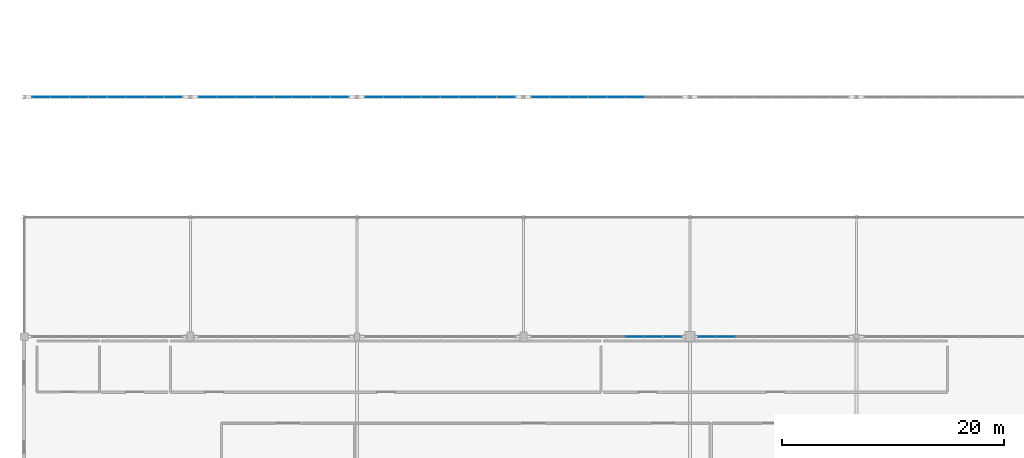
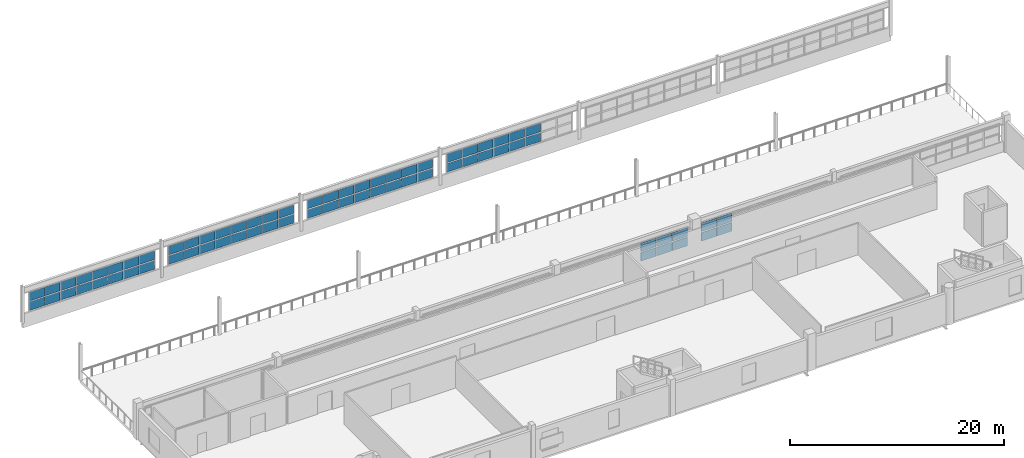
# One storey, part 52 of 92: 70 plates, 6 elements without a shape of their own.
"""IFC4 building model written with IfcOpenShell, lengths in metres."""

from ifc_helpers import new_model, si_unit, direction, frame, origin, origin_2d, place, context, subcontext, project, spatial, rectangle, extrude, material, layer, layer_set, type_object, element, aggregate, save


model = new_model("IFC4")

# Units and contexts
model_context = context("Model", 3, precision=1e-05, world=origin(), true_north=direction((0.0, 1.0)))
body_context = subcontext(model_context, "Body", "Model", "MODEL_VIEW")
ifc_project = project(units=[si_unit("LENGTHUNIT", "METRE"), si_unit("AREAUNIT", "SQUARE_METRE"), si_unit("VOLUMEUNIT", "CUBIC_METRE"), si_unit("PLANEANGLEUNIT", "RADIAN"), si_unit("MASSUNIT", "GRAM", prefix="KILO")], contexts=[model_context])

# Site, building, storey
site_placement = place(None, origin())
site = spatial("IfcSite", under=ifc_project, at=site_placement, CompositionType="ELEMENT")
building_placement = place(site_placement, origin())
building = spatial("IfcBuilding", under=site, at=building_placement, Name="Solanera Park Tramway Depot", CompositionType="ELEMENT")
storey_placement = place(building_placement, frame((0.0, 0.0, 4.800048828125)))
storey = spatial("IfcBuildingStorey", under=building, at=storey_placement, Name="L01", CompositionType="ELEMENT", Elevation=4.800048828125)

# Curtain wall, plates
ifc_material_1 = material(Name="Bronze-anodised thermally broken aluminium curtain wall", Category="aluminium")
curtain_wall_type = type_object("IfcCurtainWallType", Name="Workshop Daylight Ribbon Curtain Wall", PredefinedType="NOTDEFINED", material=ifc_material_1)
curtain_wall_1_placement = place(storey_placement, origin())
curtain_wall_1 = element("IfcCurtainWall", 1, at=curtain_wall_1_placement, inside=storey, type_object=curtain_wall_type, Name="L01 Workshop Daylight Ribbon Curtain Wall #140", PredefinedType="NOTDEFINED")
ifc_material_2 = material(Name="Low-E laminated solar-control double glazing", Category="glass")
ifc_layer = layer(ifc_material_2, 0.028076171875)
ifc_layer_set = layer_set([ifc_layer], Name="Low-E laminated solar-control double glazing")
plate_type = type_object("IfcPlateType", Name="Curtain Wall Double Glazing Panel 28", PredefinedType="CURTAIN_PANEL", material=ifc_layer_set)
plate_1_placement = place(storey_placement, frame((13.43359375, 54.0, 1.11181640625), z_axis=(0.0, 0.0, 1.0), x_axis=(-1.0, 0.0, 0.0)))
plate_1 = element("IfcPlate", 2, at=plate_1_placement, type_object=plate_type, Name="CW-L01-140 Glazing Panel R1.C1", PredefinedType="CURTAIN_PANEL", context=body_context, shape_type="SweptSolid", body=[
    extrude(rectangle(XDim=1.615478515625, YDim=0.028076171875, at=origin_2d()), origin(), (0.0, 0.0, 1.0), 0.986083984375),
])
plate_2_placement = place(storey_placement, frame((11.75, 54.0, 1.11181640625), z_axis=(0.0, 0.0, 1.0), x_axis=(-1.0, 0.0, 0.0)))
plate_2 = element("IfcPlate", 3, at=plate_2_placement, type_object=plate_type, Name="CW-L01-140 Glazing Panel R1.C2", PredefinedType="CURTAIN_PANEL", context=body_context, shape_type="SweptSolid", body=[
    extrude(rectangle(XDim=1.64794921875, YDim=0.028076171875, at=origin_2d()), origin(), (0.0, 0.0, 1.0), 0.986083984375),
])
plate_3_placement = place(storey_placement, frame((10.050048828125, 54.0, 1.11181640625), z_axis=(0.0, 0.0, 1.0), x_axis=(-1.0, 0.0, 0.0)))
plate_3 = element("IfcPlate", 4, at=plate_3_placement, type_object=plate_type, Name="CW-L01-140 Glazing Panel R1.C3", PredefinedType="CURTAIN_PANEL", context=body_context, shape_type="SweptSolid", body=[
    extrude(rectangle(XDim=1.64794921875, YDim=0.028076171875, at=origin_2d()), origin(), (0.0, 0.0, 1.0), 0.986083984375),
])
plate_4_placement = place(storey_placement, frame((8.35009765625, 54.0, 1.11181640625), z_axis=(0.0, 0.0, 1.0), x_axis=(-1.0, 0.0, 0.0)))
plate_4 = element("IfcPlate", 5, at=plate_4_placement, type_object=plate_type, Name="CW-L01-140 Glazing Panel R1.C4", PredefinedType="CURTAIN_PANEL", context=body_context, shape_type="SweptSolid", body=[
    extrude(rectangle(XDim=1.64794921875, YDim=0.028076171875, at=origin_2d()), origin(), (0.0, 0.0, 1.0), 0.986083984375),
])
plate_5_placement = place(storey_placement, frame((6.64990234375, 54.0, 1.11181640625), z_axis=(0.0, 0.0, 1.0), x_axis=(-1.0, 0.0, 0.0)))
plate_5 = element("IfcPlate", 6, at=plate_5_placement, type_object=plate_type, Name="CW-L01-140 Glazing Panel R1.C5", PredefinedType="CURTAIN_PANEL", context=body_context, shape_type="SweptSolid", body=[
    extrude(rectangle(XDim=1.64794921875, YDim=0.028076171875, at=origin_2d()), origin(), (0.0, 0.0, 1.0), 0.986083984375),
])
plate_6_placement = place(storey_placement, frame((4.949951171875, 54.0, 1.11181640625), z_axis=(0.0, 0.0, 1.0), x_axis=(-1.0, 0.0, 0.0)))
plate_6 = element("IfcPlate", 7, at=plate_6_placement, type_object=plate_type, Name="CW-L01-140 Glazing Panel R1.C6", PredefinedType="CURTAIN_PANEL", context=body_context, shape_type="SweptSolid", body=[
    extrude(rectangle(XDim=1.64794921875, YDim=0.028076171875, at=origin_2d()), origin(), (0.0, 0.0, 1.0), 0.986083984375),
])
plate_7_placement = place(storey_placement, frame((3.25, 54.0, 1.11181640625), z_axis=(0.0, 0.0, 1.0), x_axis=(-1.0, 0.0, 0.0)))
plate_7 = element("IfcPlate", 8, at=plate_7_placement, type_object=plate_type, Name="CW-L01-140 Glazing Panel R1.C7", PredefinedType="CURTAIN_PANEL", context=body_context, shape_type="SweptSolid", body=[
    extrude(rectangle(XDim=1.64794921875, YDim=0.028076171875, at=origin_2d()), origin(), (0.0, 0.0, 1.0), 0.986083984375),
])
plate_8_placement = place(storey_placement, frame((1.56640625, 54.0, 1.11181640625), z_axis=(0.0, 0.0, 1.0), x_axis=(-1.0, 0.0, 0.0)))
plate_8 = element("IfcPlate", 9, at=plate_8_placement, type_object=plate_type, Name="CW-L01-140 Glazing Panel R1.C8", PredefinedType="CURTAIN_PANEL", context=body_context, shape_type="SweptSolid", body=[
    extrude(rectangle(XDim=1.615478515625, YDim=0.028076171875, at=origin_2d()), origin(), (0.0, 0.0, 1.0), 0.986083984375),
])
plate_9_placement = place(storey_placement, frame((13.43359375, 54.0, 2.2021484375), z_axis=(0.0, 0.0, 1.0), x_axis=(-1.0, 0.0, 0.0)))
plate_9 = element("IfcPlate", 10, at=plate_9_placement, type_object=plate_type, Name="CW-L01-140 Glazing Panel R2.C1", PredefinedType="CURTAIN_PANEL", context=body_context, shape_type="SweptSolid", body=[
    extrude(rectangle(XDim=1.615478515625, YDim=0.028076171875, at=origin_2d()), origin(), (0.0, 0.0, 1.0), 0.986083984375),
])
plate_10_placement = place(storey_placement, frame((11.75, 54.0, 2.2021484375), z_axis=(0.0, 0.0, 1.0), x_axis=(-1.0, 0.0, 0.0)))
plate_10 = element("IfcPlate", 11, at=plate_10_placement, type_object=plate_type, Name="CW-L01-140 Glazing Panel R2.C2", PredefinedType="CURTAIN_PANEL", context=body_context, shape_type="SweptSolid", body=[
    extrude(rectangle(XDim=1.64794921875, YDim=0.028076171875, at=origin_2d()), origin(), (0.0, 0.0, 1.0), 0.986083984375),
])
plate_11_placement = place(storey_placement, frame((10.050048828125, 54.0, 2.2021484375), z_axis=(0.0, 0.0, 1.0), x_axis=(-1.0, 0.0, 0.0)))
plate_11 = element("IfcPlate", 12, at=plate_11_placement, type_object=plate_type, Name="CW-L01-140 Glazing Panel R2.C3", PredefinedType="CURTAIN_PANEL", context=body_context, shape_type="SweptSolid", body=[
    extrude(rectangle(XDim=1.64794921875, YDim=0.028076171875, at=origin_2d()), origin(), (0.0, 0.0, 1.0), 0.986083984375),
])
plate_12_placement = place(storey_placement, frame((8.35009765625, 54.0, 2.2021484375), z_axis=(0.0, 0.0, 1.0), x_axis=(-1.0, 0.0, 0.0)))
plate_12 = element("IfcPlate", 13, at=plate_12_placement, type_object=plate_type, Name="CW-L01-140 Glazing Panel R2.C4", PredefinedType="CURTAIN_PANEL", context=body_context, shape_type="SweptSolid", body=[
    extrude(rectangle(XDim=1.64794921875, YDim=0.028076171875, at=origin_2d()), origin(), (0.0, 0.0, 1.0), 0.986083984375),
])
plate_13_placement = place(storey_placement, frame((6.64990234375, 54.0, 2.2021484375), z_axis=(0.0, 0.0, 1.0), x_axis=(-1.0, 0.0, 0.0)))
plate_13 = element("IfcPlate", 14, at=plate_13_placement, type_object=plate_type, Name="CW-L01-140 Glazing Panel R2.C5", PredefinedType="CURTAIN_PANEL", context=body_context, shape_type="SweptSolid", body=[
    extrude(rectangle(XDim=1.64794921875, YDim=0.028076171875, at=origin_2d()), origin(), (0.0, 0.0, 1.0), 0.986083984375),
])
plate_14_placement = place(storey_placement, frame((4.949951171875, 54.0, 2.2021484375), z_axis=(0.0, 0.0, 1.0), x_axis=(-1.0, 0.0, 0.0)))
plate_14 = element("IfcPlate", 15, at=plate_14_placement, type_object=plate_type, Name="CW-L01-140 Glazing Panel R2.C6", PredefinedType="CURTAIN_PANEL", context=body_context, shape_type="SweptSolid", body=[
    extrude(rectangle(XDim=1.64794921875, YDim=0.028076171875, at=origin_2d()), origin(), (0.0, 0.0, 1.0), 0.986083984375),
])
plate_15_placement = place(storey_placement, frame((3.25, 54.0, 2.2021484375), z_axis=(0.0, 0.0, 1.0), x_axis=(-1.0, 0.0, 0.0)))
plate_15 = element("IfcPlate", 16, at=plate_15_placement, type_object=plate_type, Name="CW-L01-140 Glazing Panel R2.C7", PredefinedType="CURTAIN_PANEL", context=body_context, shape_type="SweptSolid", body=[
    extrude(rectangle(XDim=1.64794921875, YDim=0.028076171875, at=origin_2d()), origin(), (0.0, 0.0, 1.0), 0.986083984375),
])
plate_16_placement = place(storey_placement, frame((1.56640625, 54.0, 2.2021484375), z_axis=(0.0, 0.0, 1.0), x_axis=(-1.0, 0.0, 0.0)))
plate_16 = element("IfcPlate", 17, at=plate_16_placement, type_object=plate_type, Name="CW-L01-140 Glazing Panel R2.C8", PredefinedType="CURTAIN_PANEL", context=body_context, shape_type="SweptSolid", body=[
    extrude(rectangle(XDim=1.615478515625, YDim=0.028076171875, at=origin_2d()), origin(), (0.0, 0.0, 1.0), 0.986083984375),
])
aggregate(curtain_wall_1, [plate_1, plate_2, plate_3, plate_4, plate_5, plate_6, plate_7, plate_8, plate_9, plate_10, plate_11, plate_12, plate_13, plate_14, plate_15, plate_16])

curtain_wall_2_placement = place(storey_placement, origin())
curtain_wall_2 = element("IfcCurtainWall", 18, at=curtain_wall_2_placement, inside=storey, type_object=curtain_wall_type, Name="L01 Workshop Daylight Ribbon Curtain Wall #142", PredefinedType="NOTDEFINED")
plate_17_placement = place(storey_placement, frame((28.43359375, 54.0, 1.11181640625), z_axis=(0.0, 0.0, 1.0), x_axis=(-1.0, 0.0, 0.0)))
plate_17 = element("IfcPlate", 19, at=plate_17_placement, type_object=plate_type, Name="CW-L01-142 Glazing Panel R1.C1", PredefinedType="CURTAIN_PANEL", context=body_context, shape_type="SweptSolid", body=[
    extrude(rectangle(XDim=1.615478515625, YDim=0.028076171875, at=origin_2d()), origin(), (0.0, 0.0, 1.0), 0.986083984375),
])
plate_18_placement = place(storey_placement, frame((26.75, 54.0, 1.11181640625), z_axis=(0.0, 0.0, 1.0), x_axis=(-1.0, 0.0, 0.0)))
plate_18 = element("IfcPlate", 20, at=plate_18_placement, type_object=plate_type, Name="CW-L01-142 Glazing Panel R1.C2", PredefinedType="CURTAIN_PANEL", context=body_context, shape_type="SweptSolid", body=[
    extrude(rectangle(XDim=1.64794921875, YDim=0.028076171875, at=origin_2d()), origin(), (0.0, 0.0, 1.0), 0.986083984375),
])
plate_19_placement = place(storey_placement, frame((25.050048828125, 54.0, 1.11181640625), z_axis=(0.0, 0.0, 1.0), x_axis=(-1.0, 0.0, 0.0)))
plate_19 = element("IfcPlate", 21, at=plate_19_placement, type_object=plate_type, Name="CW-L01-142 Glazing Panel R1.C3", PredefinedType="CURTAIN_PANEL", context=body_context, shape_type="SweptSolid", body=[
    extrude(rectangle(XDim=1.64794921875, YDim=0.028076171875, at=origin_2d()), origin(), (0.0, 0.0, 1.0), 0.986083984375),
])
plate_20_placement = place(storey_placement, frame((23.35009765625, 54.0, 1.11181640625), z_axis=(0.0, 0.0, 1.0), x_axis=(-1.0, 0.0, 0.0)))
plate_20 = element("IfcPlate", 22, at=plate_20_placement, type_object=plate_type, Name="CW-L01-142 Glazing Panel R1.C4", PredefinedType="CURTAIN_PANEL", context=body_context, shape_type="SweptSolid", body=[
    extrude(rectangle(XDim=1.64794921875, YDim=0.028076171875, at=origin_2d()), origin(), (0.0, 0.0, 1.0), 0.986083984375),
])
plate_21_placement = place(storey_placement, frame((21.64990234375, 54.0, 1.11181640625), z_axis=(0.0, 0.0, 1.0), x_axis=(-1.0, 0.0, 0.0)))
plate_21 = element("IfcPlate", 23, at=plate_21_placement, type_object=plate_type, Name="CW-L01-142 Glazing Panel R1.C5", PredefinedType="CURTAIN_PANEL", context=body_context, shape_type="SweptSolid", body=[
    extrude(rectangle(XDim=1.64794921875, YDim=0.028076171875, at=origin_2d()), origin(), (0.0, 0.0, 1.0), 0.986083984375),
])
plate_22_placement = place(storey_placement, frame((19.949951171875, 54.0, 1.11181640625), z_axis=(0.0, 0.0, 1.0), x_axis=(-1.0, 0.0, 0.0)))
plate_22 = element("IfcPlate", 24, at=plate_22_placement, type_object=plate_type, Name="CW-L01-142 Glazing Panel R1.C6", PredefinedType="CURTAIN_PANEL", context=body_context, shape_type="SweptSolid", body=[
    extrude(rectangle(XDim=1.64794921875, YDim=0.028076171875, at=origin_2d()), origin(), (0.0, 0.0, 1.0), 0.986083984375),
])
plate_23_placement = place(storey_placement, frame((18.25, 54.0, 1.11181640625), z_axis=(0.0, 0.0, 1.0), x_axis=(-1.0, 0.0, 0.0)))
plate_23 = element("IfcPlate", 25, at=plate_23_placement, type_object=plate_type, Name="CW-L01-142 Glazing Panel R1.C7", PredefinedType="CURTAIN_PANEL", context=body_context, shape_type="SweptSolid", body=[
    extrude(rectangle(XDim=1.64794921875, YDim=0.028076171875, at=origin_2d()), origin(), (0.0, 0.0, 1.0), 0.986083984375),
])
plate_24_placement = place(storey_placement, frame((16.56640625, 54.0, 1.11181640625), z_axis=(0.0, 0.0, 1.0), x_axis=(-1.0, 0.0, 0.0)))
plate_24 = element("IfcPlate", 26, at=plate_24_placement, type_object=plate_type, Name="CW-L01-142 Glazing Panel R1.C8", PredefinedType="CURTAIN_PANEL", context=body_context, shape_type="SweptSolid", body=[
    extrude(rectangle(XDim=1.615478515625, YDim=0.028076171875, at=origin_2d()), origin(), (0.0, 0.0, 1.0), 0.986083984375),
])
plate_25_placement = place(storey_placement, frame((28.43359375, 54.0, 2.2021484375), z_axis=(0.0, 0.0, 1.0), x_axis=(-1.0, 0.0, 0.0)))
plate_25 = element("IfcPlate", 27, at=plate_25_placement, type_object=plate_type, Name="CW-L01-142 Glazing Panel R2.C1", PredefinedType="CURTAIN_PANEL", context=body_context, shape_type="SweptSolid", body=[
    extrude(rectangle(XDim=1.615478515625, YDim=0.028076171875, at=origin_2d()), origin(), (0.0, 0.0, 1.0), 0.986083984375),
])
plate_26_placement = place(storey_placement, frame((26.75, 54.0, 2.2021484375), z_axis=(0.0, 0.0, 1.0), x_axis=(-1.0, 0.0, 0.0)))
plate_26 = element("IfcPlate", 28, at=plate_26_placement, type_object=plate_type, Name="CW-L01-142 Glazing Panel R2.C2", PredefinedType="CURTAIN_PANEL", context=body_context, shape_type="SweptSolid", body=[
    extrude(rectangle(XDim=1.64794921875, YDim=0.028076171875, at=origin_2d()), origin(), (0.0, 0.0, 1.0), 0.986083984375),
])
plate_27_placement = place(storey_placement, frame((25.050048828125, 54.0, 2.2021484375), z_axis=(0.0, 0.0, 1.0), x_axis=(-1.0, 0.0, 0.0)))
plate_27 = element("IfcPlate", 29, at=plate_27_placement, type_object=plate_type, Name="CW-L01-142 Glazing Panel R2.C3", PredefinedType="CURTAIN_PANEL", context=body_context, shape_type="SweptSolid", body=[
    extrude(rectangle(XDim=1.64794921875, YDim=0.028076171875, at=origin_2d()), origin(), (0.0, 0.0, 1.0), 0.986083984375),
])
plate_28_placement = place(storey_placement, frame((23.35009765625, 54.0, 2.2021484375), z_axis=(0.0, 0.0, 1.0), x_axis=(-1.0, 0.0, 0.0)))
plate_28 = element("IfcPlate", 30, at=plate_28_placement, type_object=plate_type, Name="CW-L01-142 Glazing Panel R2.C4", PredefinedType="CURTAIN_PANEL", context=body_context, shape_type="SweptSolid", body=[
    extrude(rectangle(XDim=1.64794921875, YDim=0.028076171875, at=origin_2d()), origin(), (0.0, 0.0, 1.0), 0.986083984375),
])
plate_29_placement = place(storey_placement, frame((21.64990234375, 54.0, 2.2021484375), z_axis=(0.0, 0.0, 1.0), x_axis=(-1.0, 0.0, 0.0)))
plate_29 = element("IfcPlate", 31, at=plate_29_placement, type_object=plate_type, Name="CW-L01-142 Glazing Panel R2.C5", PredefinedType="CURTAIN_PANEL", context=body_context, shape_type="SweptSolid", body=[
    extrude(rectangle(XDim=1.64794921875, YDim=0.028076171875, at=origin_2d()), origin(), (0.0, 0.0, 1.0), 0.986083984375),
])
plate_30_placement = place(storey_placement, frame((19.949951171875, 54.0, 2.2021484375), z_axis=(0.0, 0.0, 1.0), x_axis=(-1.0, 0.0, 0.0)))
plate_30 = element("IfcPlate", 32, at=plate_30_placement, type_object=plate_type, Name="CW-L01-142 Glazing Panel R2.C6", PredefinedType="CURTAIN_PANEL", context=body_context, shape_type="SweptSolid", body=[
    extrude(rectangle(XDim=1.64794921875, YDim=0.028076171875, at=origin_2d()), origin(), (0.0, 0.0, 1.0), 0.986083984375),
])
plate_31_placement = place(storey_placement, frame((18.25, 54.0, 2.2021484375), z_axis=(0.0, 0.0, 1.0), x_axis=(-1.0, 0.0, 0.0)))
plate_31 = element("IfcPlate", 33, at=plate_31_placement, type_object=plate_type, Name="CW-L01-142 Glazing Panel R2.C7", PredefinedType="CURTAIN_PANEL", context=body_context, shape_type="SweptSolid", body=[
    extrude(rectangle(XDim=1.64794921875, YDim=0.028076171875, at=origin_2d()), origin(), (0.0, 0.0, 1.0), 0.986083984375),
])
plate_32_placement = place(storey_placement, frame((16.56640625, 54.0, 2.2021484375), z_axis=(0.0, 0.0, 1.0), x_axis=(-1.0, 0.0, 0.0)))
plate_32 = element("IfcPlate", 34, at=plate_32_placement, type_object=plate_type, Name="CW-L01-142 Glazing Panel R2.C8", PredefinedType="CURTAIN_PANEL", context=body_context, shape_type="SweptSolid", body=[
    extrude(rectangle(XDim=1.615478515625, YDim=0.028076171875, at=origin_2d()), origin(), (0.0, 0.0, 1.0), 0.986083984375),
])
aggregate(curtain_wall_2, [plate_17, plate_18, plate_19, plate_20, plate_21, plate_22, plate_23, plate_24, plate_25, plate_26, plate_27, plate_28, plate_29, plate_30, plate_31, plate_32])

curtain_wall_3_placement = place(storey_placement, origin())
curtain_wall_3 = element("IfcCurtainWall", 35, at=curtain_wall_3_placement, inside=storey, type_object=curtain_wall_type, Name="L01 Workshop Daylight Ribbon Curtain Wall #144", PredefinedType="NOTDEFINED")
plate_33_placement = place(storey_placement, frame((43.43359375, 54.0, 1.11181640625), z_axis=(0.0, 0.0, 1.0), x_axis=(-1.0, 0.0, 0.0)))
plate_33 = element("IfcPlate", 36, at=plate_33_placement, type_object=plate_type, Name="CW-L01-144 Glazing Panel R1.C1", PredefinedType="CURTAIN_PANEL", context=body_context, shape_type="SweptSolid", body=[
    extrude(rectangle(XDim=1.615478515625, YDim=0.028076171875, at=origin_2d()), origin(), (0.0, 0.0, 1.0), 0.986083984375),
])
plate_34_placement = place(storey_placement, frame((41.75, 54.0, 1.11181640625), z_axis=(0.0, 0.0, 1.0), x_axis=(-1.0, 0.0, 0.0)))
plate_34 = element("IfcPlate", 37, at=plate_34_placement, type_object=plate_type, Name="CW-L01-144 Glazing Panel R1.C2", PredefinedType="CURTAIN_PANEL", context=body_context, shape_type="SweptSolid", body=[
    extrude(rectangle(XDim=1.64794921875, YDim=0.028076171875, at=origin_2d()), origin(), (0.0, 0.0, 1.0), 0.986083984375),
])
plate_35_placement = place(storey_placement, frame((40.050048828125, 54.0, 1.11181640625), z_axis=(0.0, 0.0, 1.0), x_axis=(-1.0, 0.0, 0.0)))
plate_35 = element("IfcPlate", 38, at=plate_35_placement, type_object=plate_type, Name="CW-L01-144 Glazing Panel R1.C3", PredefinedType="CURTAIN_PANEL", context=body_context, shape_type="SweptSolid", body=[
    extrude(rectangle(XDim=1.64794921875, YDim=0.028076171875, at=origin_2d()), origin(), (0.0, 0.0, 1.0), 0.986083984375),
])
plate_36_placement = place(storey_placement, frame((38.35009765625, 54.0, 1.11181640625), z_axis=(0.0, 0.0, 1.0), x_axis=(-1.0, 0.0, 0.0)))
plate_36 = element("IfcPlate", 39, at=plate_36_placement, type_object=plate_type, Name="CW-L01-144 Glazing Panel R1.C4", PredefinedType="CURTAIN_PANEL", context=body_context, shape_type="SweptSolid", body=[
    extrude(rectangle(XDim=1.64794921875, YDim=0.028076171875, at=origin_2d()), origin(), (0.0, 0.0, 1.0), 0.986083984375),
])
plate_37_placement = place(storey_placement, frame((36.64990234375, 54.0, 1.11181640625), z_axis=(0.0, 0.0, 1.0), x_axis=(-1.0, 0.0, 0.0)))
plate_37 = element("IfcPlate", 40, at=plate_37_placement, type_object=plate_type, Name="CW-L01-144 Glazing Panel R1.C5", PredefinedType="CURTAIN_PANEL", context=body_context, shape_type="SweptSolid", body=[
    extrude(rectangle(XDim=1.64794921875, YDim=0.028076171875, at=origin_2d()), origin(), (0.0, 0.0, 1.0), 0.986083984375),
])
plate_38_placement = place(storey_placement, frame((34.949951171875, 54.0, 1.11181640625), z_axis=(0.0, 0.0, 1.0), x_axis=(-1.0, 0.0, 0.0)))
plate_38 = element("IfcPlate", 41, at=plate_38_placement, type_object=plate_type, Name="CW-L01-144 Glazing Panel R1.C6", PredefinedType="CURTAIN_PANEL", context=body_context, shape_type="SweptSolid", body=[
    extrude(rectangle(XDim=1.64794921875, YDim=0.028076171875, at=origin_2d()), origin(), (0.0, 0.0, 1.0), 0.986083984375),
])
plate_39_placement = place(storey_placement, frame((33.25, 54.0, 1.11181640625), z_axis=(0.0, 0.0, 1.0), x_axis=(-1.0, 0.0, 0.0)))
plate_39 = element("IfcPlate", 42, at=plate_39_placement, type_object=plate_type, Name="CW-L01-144 Glazing Panel R1.C7", PredefinedType="CURTAIN_PANEL", context=body_context, shape_type="SweptSolid", body=[
    extrude(rectangle(XDim=1.64794921875, YDim=0.028076171875, at=origin_2d()), origin(), (0.0, 0.0, 1.0), 0.986083984375),
])
plate_40_placement = place(storey_placement, frame((31.56640625, 54.0, 1.11181640625), z_axis=(0.0, 0.0, 1.0), x_axis=(-1.0, 0.0, 0.0)))
plate_40 = element("IfcPlate", 43, at=plate_40_placement, type_object=plate_type, Name="CW-L01-144 Glazing Panel R1.C8", PredefinedType="CURTAIN_PANEL", context=body_context, shape_type="SweptSolid", body=[
    extrude(rectangle(XDim=1.615478515625, YDim=0.028076171875, at=origin_2d()), origin(), (0.0, 0.0, 1.0), 0.986083984375),
])
plate_41_placement = place(storey_placement, frame((43.43359375, 54.0, 2.2021484375), z_axis=(0.0, 0.0, 1.0), x_axis=(-1.0, 0.0, 0.0)))
plate_41 = element("IfcPlate", 44, at=plate_41_placement, type_object=plate_type, Name="CW-L01-144 Glazing Panel R2.C1", PredefinedType="CURTAIN_PANEL", context=body_context, shape_type="SweptSolid", body=[
    extrude(rectangle(XDim=1.615478515625, YDim=0.028076171875, at=origin_2d()), origin(), (0.0, 0.0, 1.0), 0.986083984375),
])
plate_42_placement = place(storey_placement, frame((41.75, 54.0, 2.2021484375), z_axis=(0.0, 0.0, 1.0), x_axis=(-1.0, 0.0, 0.0)))
plate_42 = element("IfcPlate", 45, at=plate_42_placement, type_object=plate_type, Name="CW-L01-144 Glazing Panel R2.C2", PredefinedType="CURTAIN_PANEL", context=body_context, shape_type="SweptSolid", body=[
    extrude(rectangle(XDim=1.64794921875, YDim=0.028076171875, at=origin_2d()), origin(), (0.0, 0.0, 1.0), 0.986083984375),
])
plate_43_placement = place(storey_placement, frame((40.050048828125, 54.0, 2.2021484375), z_axis=(0.0, 0.0, 1.0), x_axis=(-1.0, 0.0, 0.0)))
plate_43 = element("IfcPlate", 46, at=plate_43_placement, type_object=plate_type, Name="CW-L01-144 Glazing Panel R2.C3", PredefinedType="CURTAIN_PANEL", context=body_context, shape_type="SweptSolid", body=[
    extrude(rectangle(XDim=1.64794921875, YDim=0.028076171875, at=origin_2d()), origin(), (0.0, 0.0, 1.0), 0.986083984375),
])
plate_44_placement = place(storey_placement, frame((38.35009765625, 54.0, 2.2021484375), z_axis=(0.0, 0.0, 1.0), x_axis=(-1.0, 0.0, 0.0)))
plate_44 = element("IfcPlate", 47, at=plate_44_placement, type_object=plate_type, Name="CW-L01-144 Glazing Panel R2.C4", PredefinedType="CURTAIN_PANEL", context=body_context, shape_type="SweptSolid", body=[
    extrude(rectangle(XDim=1.64794921875, YDim=0.028076171875, at=origin_2d()), origin(), (0.0, 0.0, 1.0), 0.986083984375),
])
plate_45_placement = place(storey_placement, frame((36.64990234375, 54.0, 2.2021484375), z_axis=(0.0, 0.0, 1.0), x_axis=(-1.0, 0.0, 0.0)))
plate_45 = element("IfcPlate", 48, at=plate_45_placement, type_object=plate_type, Name="CW-L01-144 Glazing Panel R2.C5", PredefinedType="CURTAIN_PANEL", context=body_context, shape_type="SweptSolid", body=[
    extrude(rectangle(XDim=1.64794921875, YDim=0.028076171875, at=origin_2d()), origin(), (0.0, 0.0, 1.0), 0.986083984375),
])
plate_46_placement = place(storey_placement, frame((34.949951171875, 54.0, 2.2021484375), z_axis=(0.0, 0.0, 1.0), x_axis=(-1.0, 0.0, 0.0)))
plate_46 = element("IfcPlate", 49, at=plate_46_placement, type_object=plate_type, Name="CW-L01-144 Glazing Panel R2.C6", PredefinedType="CURTAIN_PANEL", context=body_context, shape_type="SweptSolid", body=[
    extrude(rectangle(XDim=1.64794921875, YDim=0.028076171875, at=origin_2d()), origin(), (0.0, 0.0, 1.0), 0.986083984375),
])
plate_47_placement = place(storey_placement, frame((33.25, 54.0, 2.2021484375), z_axis=(0.0, 0.0, 1.0), x_axis=(-1.0, 0.0, 0.0)))
plate_47 = element("IfcPlate", 50, at=plate_47_placement, type_object=plate_type, Name="CW-L01-144 Glazing Panel R2.C7", PredefinedType="CURTAIN_PANEL", context=body_context, shape_type="SweptSolid", body=[
    extrude(rectangle(XDim=1.64794921875, YDim=0.028076171875, at=origin_2d()), origin(), (0.0, 0.0, 1.0), 0.986083984375),
])
plate_48_placement = place(storey_placement, frame((31.56640625, 54.0, 2.2021484375), z_axis=(0.0, 0.0, 1.0), x_axis=(-1.0, 0.0, 0.0)))
plate_48 = element("IfcPlate", 51, at=plate_48_placement, type_object=plate_type, Name="CW-L01-144 Glazing Panel R2.C8", PredefinedType="CURTAIN_PANEL", context=body_context, shape_type="SweptSolid", body=[
    extrude(rectangle(XDim=1.615478515625, YDim=0.028076171875, at=origin_2d()), origin(), (0.0, 0.0, 1.0), 0.986083984375),
])
aggregate(curtain_wall_3, [plate_33, plate_34, plate_35, plate_36, plate_37, plate_38, plate_39, plate_40, plate_41, plate_42, plate_43, plate_44, plate_45, plate_46, plate_47, plate_48])

curtain_wall_4_placement = place(storey_placement, origin())
curtain_wall_4 = element("IfcCurtainWall", 52, at=curtain_wall_4_placement, inside=storey, type_object=curtain_wall_type, Name="L01 Workshop Daylight Ribbon Curtain Wall #146", PredefinedType="NOTDEFINED")
plate_49_placement = place(storey_placement, frame((55.050048828125, 54.0, 1.11181640625), z_axis=(0.0, 0.0, 1.0), x_axis=(-1.0, 0.0, 0.0)))
plate_49 = element("IfcPlate", 53, at=plate_49_placement, type_object=plate_type, Name="CW-L01-146 Glazing Panel R1.C3", PredefinedType="CURTAIN_PANEL", context=body_context, shape_type="SweptSolid", body=[
    extrude(rectangle(XDim=1.64794921875, YDim=0.028076171875, at=origin_2d()), origin(), (0.0, 0.0, 1.0), 0.986083984375),
])
plate_50_placement = place(storey_placement, frame((53.35009765625, 54.0, 1.11181640625), z_axis=(0.0, 0.0, 1.0), x_axis=(-1.0, 0.0, 0.0)))
plate_50 = element("IfcPlate", 54, at=plate_50_placement, type_object=plate_type, Name="CW-L01-146 Glazing Panel R1.C4", PredefinedType="CURTAIN_PANEL", context=body_context, shape_type="SweptSolid", body=[
    extrude(rectangle(XDim=1.64794921875, YDim=0.028076171875, at=origin_2d()), origin(), (0.0, 0.0, 1.0), 0.986083984375),
])
plate_51_placement = place(storey_placement, frame((51.64990234375, 54.0, 1.11181640625), z_axis=(0.0, 0.0, 1.0), x_axis=(-1.0, 0.0, 0.0)))
plate_51 = element("IfcPlate", 55, at=plate_51_placement, type_object=plate_type, Name="CW-L01-146 Glazing Panel R1.C5", PredefinedType="CURTAIN_PANEL", context=body_context, shape_type="SweptSolid", body=[
    extrude(rectangle(XDim=1.64794921875, YDim=0.028076171875, at=origin_2d()), origin(), (0.0, 0.0, 1.0), 0.986083984375),
])
plate_52_placement = place(storey_placement, frame((49.949951171875, 54.0, 1.11181640625), z_axis=(0.0, 0.0, 1.0), x_axis=(-1.0, 0.0, 0.0)))
plate_52 = element("IfcPlate", 56, at=plate_52_placement, type_object=plate_type, Name="CW-L01-146 Glazing Panel R1.C6", PredefinedType="CURTAIN_PANEL", context=body_context, shape_type="SweptSolid", body=[
    extrude(rectangle(XDim=1.64794921875, YDim=0.028076171875, at=origin_2d()), origin(), (0.0, 0.0, 1.0), 0.986083984375),
])
plate_53_placement = place(storey_placement, frame((48.25, 54.0, 1.11181640625), z_axis=(0.0, 0.0, 1.0), x_axis=(-1.0, 0.0, 0.0)))
plate_53 = element("IfcPlate", 57, at=plate_53_placement, type_object=plate_type, Name="CW-L01-146 Glazing Panel R1.C7", PredefinedType="CURTAIN_PANEL", context=body_context, shape_type="SweptSolid", body=[
    extrude(rectangle(XDim=1.64794921875, YDim=0.028076171875, at=origin_2d()), origin(), (0.0, 0.0, 1.0), 0.986083984375),
])
plate_54_placement = place(storey_placement, frame((46.56640625, 54.0, 1.11181640625), z_axis=(0.0, 0.0, 1.0), x_axis=(-1.0, 0.0, 0.0)))
plate_54 = element("IfcPlate", 58, at=plate_54_placement, type_object=plate_type, Name="CW-L01-146 Glazing Panel R1.C8", PredefinedType="CURTAIN_PANEL", context=body_context, shape_type="SweptSolid", body=[
    extrude(rectangle(XDim=1.615478515625, YDim=0.028076171875, at=origin_2d()), origin(), (0.0, 0.0, 1.0), 0.986083984375),
])
plate_55_placement = place(storey_placement, frame((55.050048828125, 54.0, 2.2021484375), z_axis=(0.0, 0.0, 1.0), x_axis=(-1.0, 0.0, 0.0)))
plate_55 = element("IfcPlate", 59, at=plate_55_placement, type_object=plate_type, Name="CW-L01-146 Glazing Panel R2.C3", PredefinedType="CURTAIN_PANEL", context=body_context, shape_type="SweptSolid", body=[
    extrude(rectangle(XDim=1.64794921875, YDim=0.028076171875, at=origin_2d()), origin(), (0.0, 0.0, 1.0), 0.986083984375),
])
plate_56_placement = place(storey_placement, frame((53.35009765625, 54.0, 2.2021484375), z_axis=(0.0, 0.0, 1.0), x_axis=(-1.0, 0.0, 0.0)))
plate_56 = element("IfcPlate", 60, at=plate_56_placement, type_object=plate_type, Name="CW-L01-146 Glazing Panel R2.C4", PredefinedType="CURTAIN_PANEL", context=body_context, shape_type="SweptSolid", body=[
    extrude(rectangle(XDim=1.64794921875, YDim=0.028076171875, at=origin_2d()), origin(), (0.0, 0.0, 1.0), 0.986083984375),
])
plate_57_placement = place(storey_placement, frame((51.64990234375, 54.0, 2.2021484375), z_axis=(0.0, 0.0, 1.0), x_axis=(-1.0, 0.0, 0.0)))
plate_57 = element("IfcPlate", 61, at=plate_57_placement, type_object=plate_type, Name="CW-L01-146 Glazing Panel R2.C5", PredefinedType="CURTAIN_PANEL", context=body_context, shape_type="SweptSolid", body=[
    extrude(rectangle(XDim=1.64794921875, YDim=0.028076171875, at=origin_2d()), origin(), (0.0, 0.0, 1.0), 0.986083984375),
])
plate_58_placement = place(storey_placement, frame((49.949951171875, 54.0, 2.2021484375), z_axis=(0.0, 0.0, 1.0), x_axis=(-1.0, 0.0, 0.0)))
plate_58 = element("IfcPlate", 62, at=plate_58_placement, type_object=plate_type, Name="CW-L01-146 Glazing Panel R2.C6", PredefinedType="CURTAIN_PANEL", context=body_context, shape_type="SweptSolid", body=[
    extrude(rectangle(XDim=1.64794921875, YDim=0.028076171875, at=origin_2d()), origin(), (0.0, 0.0, 1.0), 0.986083984375),
])
plate_59_placement = place(storey_placement, frame((48.25, 54.0, 2.2021484375), z_axis=(0.0, 0.0, 1.0), x_axis=(-1.0, 0.0, 0.0)))
plate_59 = element("IfcPlate", 63, at=plate_59_placement, type_object=plate_type, Name="CW-L01-146 Glazing Panel R2.C7", PredefinedType="CURTAIN_PANEL", context=body_context, shape_type="SweptSolid", body=[
    extrude(rectangle(XDim=1.64794921875, YDim=0.028076171875, at=origin_2d()), origin(), (0.0, 0.0, 1.0), 0.986083984375),
])
plate_60_placement = place(storey_placement, frame((46.56640625, 54.0, 2.2021484375), z_axis=(0.0, 0.0, 1.0), x_axis=(-1.0, 0.0, 0.0)))
plate_60 = element("IfcPlate", 64, at=plate_60_placement, type_object=plate_type, Name="CW-L01-146 Glazing Panel R2.C8", PredefinedType="CURTAIN_PANEL", context=body_context, shape_type="SweptSolid", body=[
    extrude(rectangle(XDim=1.615478515625, YDim=0.028076171875, at=origin_2d()), origin(), (0.0, 0.0, 1.0), 0.986083984375),
])
aggregate(curtain_wall_4, [plate_49, plate_50, plate_51, plate_52, plate_53, plate_54, plate_55, plate_56, plate_57, plate_58, plate_59, plate_60])

curtain_wall_5_placement = place(storey_placement, origin())
curtain_wall_5 = element("IfcCurtainWall", 65, at=curtain_wall_5_placement, inside=storey, type_object=curtain_wall_type, Name="L01 Workshop Daylight Ribbon Curtain Wall #147", PredefinedType="NOTDEFINED")
plate_61_placement = place(storey_placement, frame((55.050048828125, 32.39990234375, 1.11181640625), z_axis=(0.0, 0.0, 1.0), x_axis=(1.0, 0.0, 0.0)))
plate_61 = element("IfcPlate", 66, at=plate_61_placement, type_object=plate_type, Name="CW-L01-147 Glazing Panel R1.C6", PredefinedType="CURTAIN_PANEL", context=body_context, shape_type="SweptSolid", body=[
    extrude(rectangle(XDim=1.64794921875, YDim=0.028076171875, at=origin_2d()), origin(), (0.0, 0.0, 1.0), 0.986083984375),
])
plate_62_placement = place(storey_placement, frame((56.75, 32.39990234375, 1.11181640625), z_axis=(0.0, 0.0, 1.0), x_axis=(1.0, 0.0, 0.0)))
plate_62 = element("IfcPlate", 67, at=plate_62_placement, type_object=plate_type, Name="CW-L01-147 Glazing Panel R1.C7", PredefinedType="CURTAIN_PANEL", context=body_context, shape_type="SweptSolid", body=[
    extrude(rectangle(XDim=1.64794921875, YDim=0.028076171875, at=origin_2d()), origin(), (0.0, 0.0, 1.0), 0.986083984375),
])
plate_63_placement = place(storey_placement, frame((58.43359375, 32.39990234375, 1.11181640625), z_axis=(0.0, 0.0, 1.0), x_axis=(1.0, 0.0, 0.0)))
plate_63 = element("IfcPlate", 68, at=plate_63_placement, type_object=plate_type, Name="CW-L01-147 Glazing Panel R1.C8", PredefinedType="CURTAIN_PANEL", context=body_context, shape_type="SweptSolid", body=[
    extrude(rectangle(XDim=1.615478515625, YDim=0.028076171875, at=origin_2d()), origin(), (0.0, 0.0, 1.0), 0.986083984375),
])
plate_64_placement = place(storey_placement, frame((55.050048828125, 32.39990234375, 2.2021484375), z_axis=(0.0, 0.0, 1.0), x_axis=(1.0, 0.0, 0.0)))
plate_64 = element("IfcPlate", 69, at=plate_64_placement, type_object=plate_type, Name="CW-L01-147 Glazing Panel R2.C6", PredefinedType="CURTAIN_PANEL", context=body_context, shape_type="SweptSolid", body=[
    extrude(rectangle(XDim=1.64794921875, YDim=0.028076171875, at=origin_2d()), origin(), (0.0, 0.0, 1.0), 0.986083984375),
])
plate_65_placement = place(storey_placement, frame((56.75, 32.39990234375, 2.2021484375), z_axis=(0.0, 0.0, 1.0), x_axis=(1.0, 0.0, 0.0)))
plate_65 = element("IfcPlate", 70, at=plate_65_placement, type_object=plate_type, Name="CW-L01-147 Glazing Panel R2.C7", PredefinedType="CURTAIN_PANEL", context=body_context, shape_type="SweptSolid", body=[
    extrude(rectangle(XDim=1.64794921875, YDim=0.028076171875, at=origin_2d()), origin(), (0.0, 0.0, 1.0), 0.986083984375),
])
plate_66_placement = place(storey_placement, frame((58.43359375, 32.39990234375, 2.2021484375), z_axis=(0.0, 0.0, 1.0), x_axis=(1.0, 0.0, 0.0)))
plate_66 = element("IfcPlate", 71, at=plate_66_placement, type_object=plate_type, Name="CW-L01-147 Glazing Panel R2.C8", PredefinedType="CURTAIN_PANEL", context=body_context, shape_type="SweptSolid", body=[
    extrude(rectangle(XDim=1.615478515625, YDim=0.028076171875, at=origin_2d()), origin(), (0.0, 0.0, 1.0), 0.986083984375),
])
aggregate(curtain_wall_5, [plate_61, plate_62, plate_63, plate_64, plate_65, plate_66])

curtain_wall_6_placement = place(storey_placement, origin())
curtain_wall_6 = element("IfcCurtainWall", 72, at=curtain_wall_6_placement, inside=storey, type_object=curtain_wall_type, Name="L01 Workshop Daylight Ribbon Curtain Wall #149", PredefinedType="NOTDEFINED")
plate_67_placement = place(storey_placement, frame((61.56640625, 32.39990234375, 1.11181640625), z_axis=(0.0, 0.0, 1.0), x_axis=(1.0, 0.0, 0.0)))
plate_67 = element("IfcPlate", 73, at=plate_67_placement, type_object=plate_type, Name="CW-L01-149 Glazing Panel R1.C1", PredefinedType="CURTAIN_PANEL", context=body_context, shape_type="SweptSolid", body=[
    extrude(rectangle(XDim=1.615478515625, YDim=0.028076171875, at=origin_2d()), origin(), (0.0, 0.0, 1.0), 0.986083984375),
])
plate_68_placement = place(storey_placement, frame((63.25, 32.39990234375, 1.11181640625), z_axis=(0.0, 0.0, 1.0), x_axis=(1.0, 0.0, 0.0)))
plate_68 = element("IfcPlate", 74, at=plate_68_placement, type_object=plate_type, Name="CW-L01-149 Glazing Panel R1.C2", PredefinedType="CURTAIN_PANEL", context=body_context, shape_type="SweptSolid", body=[
    extrude(rectangle(XDim=1.64794921875, YDim=0.028076171875, at=origin_2d()), origin(), (0.0, 0.0, 1.0), 0.986083984375),
])
plate_69_placement = place(storey_placement, frame((61.56640625, 32.39990234375, 2.2021484375), z_axis=(0.0, 0.0, 1.0), x_axis=(1.0, 0.0, 0.0)))
plate_69 = element("IfcPlate", 75, at=plate_69_placement, type_object=plate_type, Name="CW-L01-149 Glazing Panel R2.C1", PredefinedType="CURTAIN_PANEL", context=body_context, shape_type="SweptSolid", body=[
    extrude(rectangle(XDim=1.615478515625, YDim=0.028076171875, at=origin_2d()), origin(), (0.0, 0.0, 1.0), 0.986083984375),
])
plate_70_placement = place(storey_placement, frame((63.25, 32.39990234375, 2.2021484375), z_axis=(0.0, 0.0, 1.0), x_axis=(1.0, 0.0, 0.0)))
plate_70 = element("IfcPlate", 76, at=plate_70_placement, type_object=plate_type, Name="CW-L01-149 Glazing Panel R2.C2", PredefinedType="CURTAIN_PANEL", context=body_context, shape_type="SweptSolid", body=[
    extrude(rectangle(XDim=1.64794921875, YDim=0.028076171875, at=origin_2d()), origin(), (0.0, 0.0, 1.0), 0.986083984375),
])
aggregate(curtain_wall_6, [plate_67, plate_68, plate_69, plate_70])

save(model, "model.ifc")
